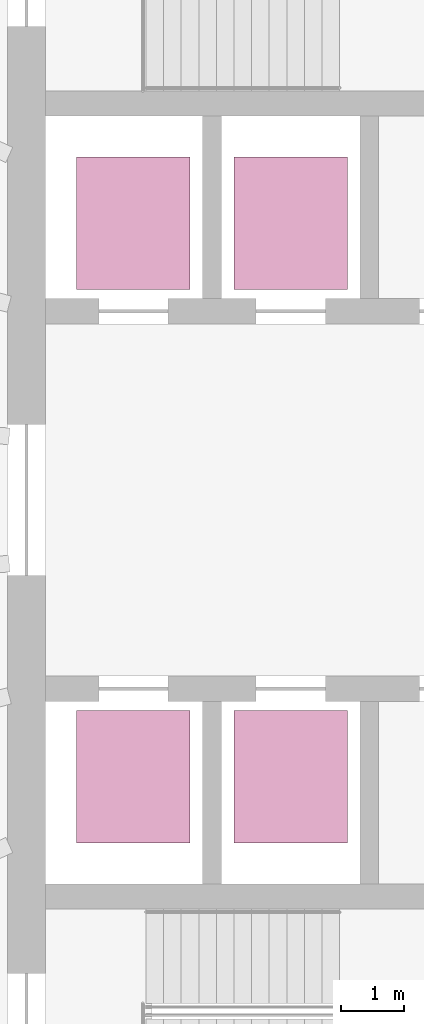
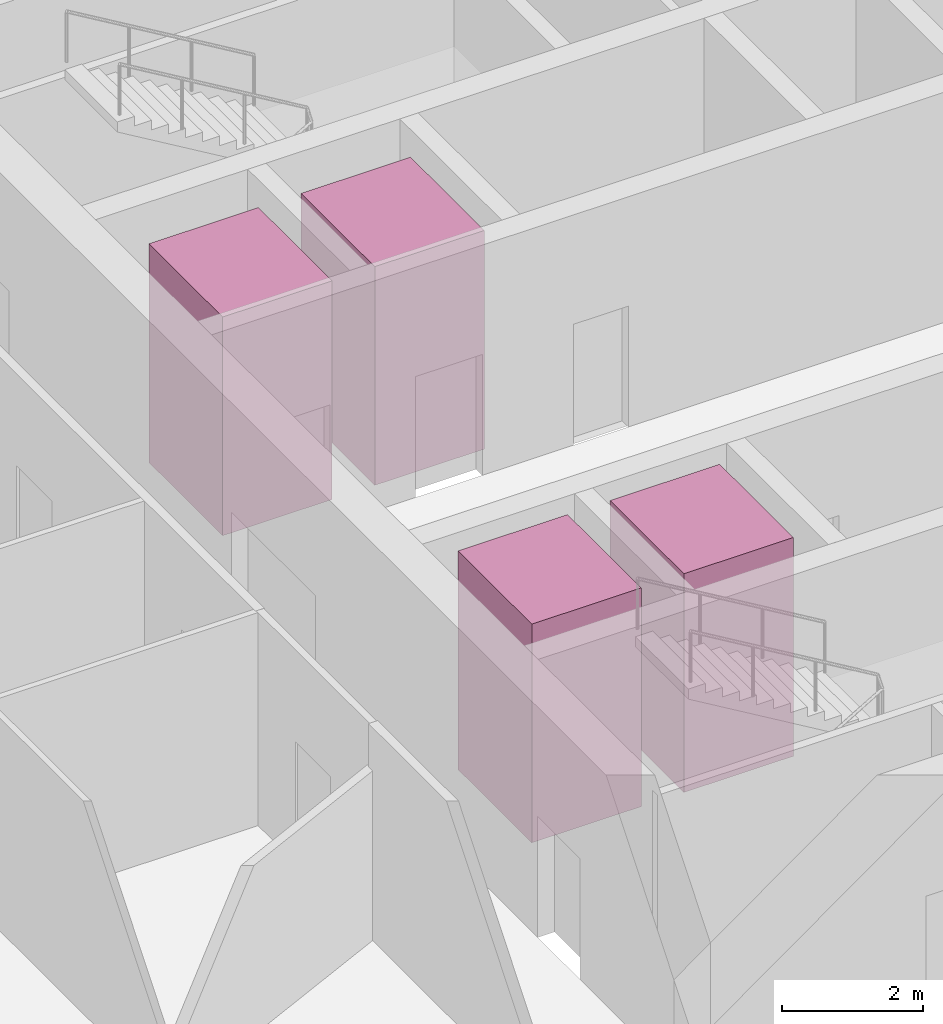
# One storey, part 10 of 10: 4 transport elements.
"""IFC4 building model written with IfcOpenShell, lengths in metres."""

from ifc_helpers import new_model, si_unit, direction, frame, origin, origin_2d, place, context, subcontext, project, spatial, rectangle, extrude, material, type_object, element, save


model = new_model("IFC4")

# Units and contexts
model_context = context("Model", 3, precision=1e-05, world=origin(), true_north=direction((0.0, 1.0)))
body_context = subcontext(model_context, "Body", "Model", "MODEL_VIEW")
ifc_project = project(units=[si_unit("LENGTHUNIT", "METRE"), si_unit("AREAUNIT", "SQUARE_METRE"), si_unit("VOLUMEUNIT", "CUBIC_METRE"), si_unit("PLANEANGLEUNIT", "RADIAN"), si_unit("MASSUNIT", "GRAM", prefix="KILO")], contexts=[model_context])

# Site, building, storey
site_placement = place(None, origin())
site = spatial("IfcSite", under=ifc_project, at=site_placement, CompositionType="ELEMENT")
building_placement = place(site_placement, origin())
building = spatial("IfcBuilding", under=site, at=building_placement, Name="Halqa Exchange Tower", CompositionType="ELEMENT")
storey_placement = place(building_placement, frame((0.0, 0.0, 260.300048828125)))
storey = spatial("IfcBuildingStorey", under=building, at=storey_placement, Name="L60", CompositionType="ELEMENT", Elevation=260.300048828125)

# Transport elements
ifc_material = material(Name="Stainless steel", Category="steel")
transport_element_type = type_object("IfcTransportElementType", Name="High-rise passenger lift 1800 x 2100", PredefinedType="ELEVATOR", material=ifc_material)
for number, where, z_axis, x_axis, name in (
    (1, (-10.0, 4.39990234375, 0.0), (0.0, 0.0, 1.0), (1.0, 0.0, 0.0), "High-rise passenger lift HR1"),
    (2, (-7.5, 4.39990234375, 0.0), (0.0, 0.0, 1.0), (1.0, 0.0, 0.0), "High-rise passenger lift HR2"),
    (3, (-10.0, -4.39990234375, 0.0), (0.0, 0.0, 1.0), (1.0, 0.0, 0.0), "High-rise passenger lift HR3"),
    (4, (-7.5, -4.39990234375, 0.0), (0.0, 0.0, 1.0), (1.0, 0.0, 0.0), "High-rise passenger lift HR4"),
):
    element("IfcTransportElement", number, at=place(storey_placement, frame(where, z_axis=z_axis, x_axis=x_axis)), inside=storey, type_object=transport_element_type, Name=name, PredefinedType="ELEVATOR", context=body_context, shape_type="SweptSolid", body=[
        extrude(rectangle(XDim=1.800048828125, YDim=2.10009765625, at=origin_2d()), origin(), (0.0, 0.0, 1.0), 3.800048828125),
    ])

save(model, "model.ifc")
